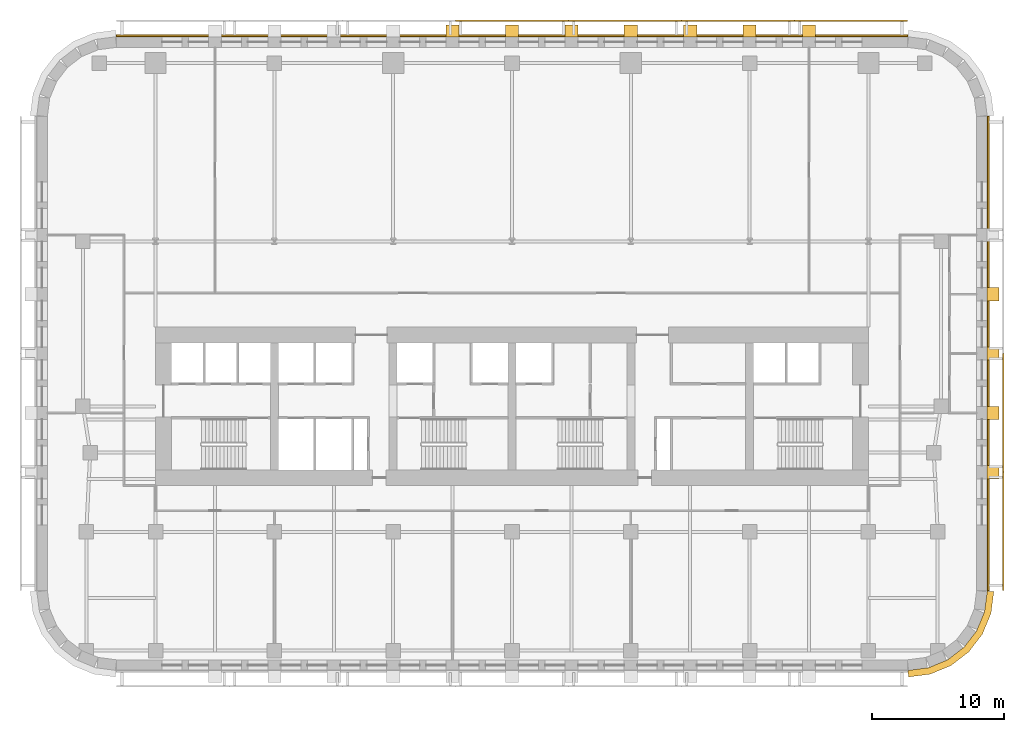
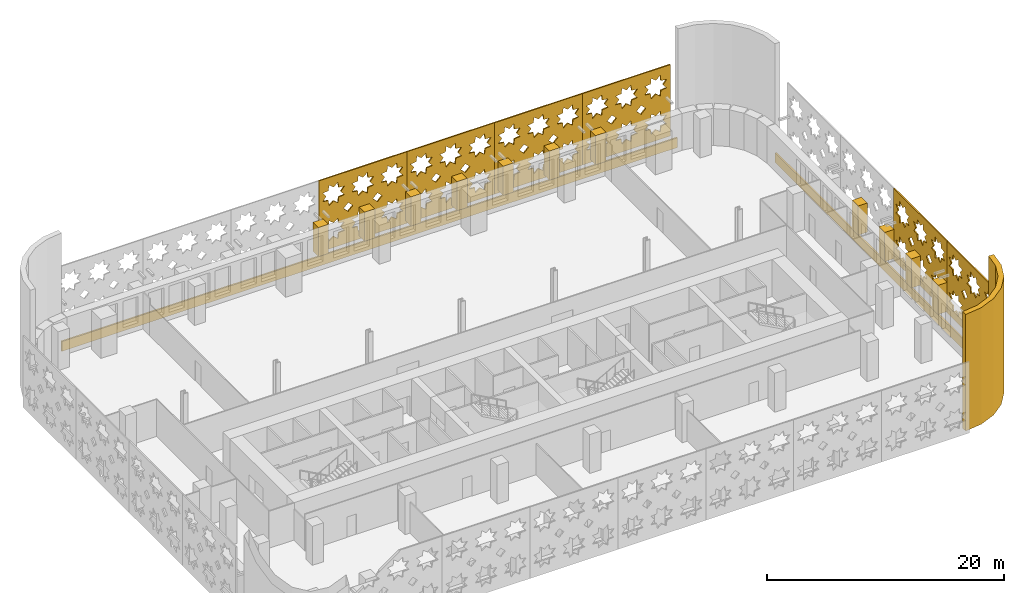
# One storey, part 12 of 13: 20 coverings.
"""IFC4 building model written with IfcOpenShell, lengths in metres."""

from ifc_helpers import new_model, si_unit, direction, frame, origin, place, context, subcontext, project, spatial, polyline, outline, extrude, material, layer, layer_set, type_object, element, save


model = new_model("IFC4")

# Units and contexts
model_context = context("Model", 3, precision=1e-05, world=origin(), true_north=direction((0.0, 1.0)))
body_context = subcontext(model_context, "Body", "Model", "MODEL_VIEW")
ifc_project = project(units=[si_unit("LENGTHUNIT", "METRE"), si_unit("AREAUNIT", "SQUARE_METRE"), si_unit("VOLUMEUNIT", "CUBIC_METRE"), si_unit("PLANEANGLEUNIT", "RADIAN"), si_unit("MASSUNIT", "GRAM", prefix="KILO")], contexts=[model_context])

# Site, building, storey
site_placement = place(None, origin())
site = spatial("IfcSite", under=ifc_project, at=site_placement, CompositionType="ELEMENT")
building_placement = place(site_placement, origin())
building = spatial("IfcBuilding", under=site, at=building_placement, Name="Zellij Exchange Tower", CompositionType="ELEMENT")
storey_placement = place(building_placement, frame((0.0, 0.0, 52.5)))
storey = spatial("IfcBuildingStorey", under=building, at=storey_placement, Name="L09", CompositionType="ELEMENT", Elevation=52.5)

# Coverings
ifc_material_1 = material(Name="Limestone cladding", Category="masonry")
ifc_layer_1 = layer(ifc_material_1, 0.14990234375)
ifc_layer_set_1 = layer_set([ifc_layer_1], Name="Limestone cladding")
covering_type_1 = type_object("IfcCoveringType", Name="ENV-CV1 Stone spandrel band 150", PredefinedType="CLADDING", material=ifc_layer_set_1)
covering_1_placement = place(storey_placement, frame((0.0, 0.0, -0.199951171875)))
element("IfcCovering", 1, at=covering_1_placement, inside=storey, type_object=covering_type_1, Name="Stone spandrel band", PredefinedType="CLADDING", context=body_context, shape_type="SweptSolid", body=[
    extrude(outline(polyline([(36.0, -21.973876953125), (36.0, 13.973876953125), (36.14990234375, 13.983642578125), (36.14990234375, -21.983642578125), (36.0, -21.973876953125)])), origin(), (0.0, 0.0, 1.0), 1.0),
])
covering_2_placement = place(storey_placement, frame((0.0, 0.0, -0.199951171875)))
element("IfcCovering", 2, at=covering_2_placement, inside=storey, type_object=covering_type_1, Name="Stone spandrel band", PredefinedType="CLADDING", context=body_context, shape_type="SweptSolid", body=[
    extrude(outline(polyline([(29.973876953125, 20.0), (-29.973876953125, 20.0), (-29.983642578125, 20.14990234375), (29.983642578125, 20.14990234375), (29.973876953125, 20.0)])), origin(), (0.0, 0.0, 1.0), 1.0),
])
ifc_layer_2 = layer(ifc_material_1, 0.5)
ifc_layer_set_2 = layer_set([ifc_layer_2], Name="Limestone cladding")
covering_type_2 = type_object("IfcCoveringType", Name="ENV-CV12 Stone corner pier 500", PredefinedType="CLADDING", material=ifc_layer_set_2)
covering_3_placement = place(storey_placement, origin())
element("IfcCovering", 3, at=covering_3_placement, inside=storey, type_object=covering_type_2, Name="Stone corner pier", PredefinedType="CLADDING", context=body_context, shape_type="SweptSolid", body=[
    extrude(outline(polyline([(30.0, -28.0), (31.552978515625, -27.795654296875), (33.0, -27.1962890625), (34.24267578125, -26.24267578125), (35.1962890625, -25.0), (35.795654296875, -23.552978515625), (36.0, -22.0), (36.5, -22.03271484375), (36.28271484375, -23.683349609375), (35.6328125, -25.252197265625), (34.59912109375, -26.59912109375), (33.252197265625, -27.6328125), (31.683349609375, -28.28271484375), (30.03271484375, -28.5), (30.0, -28.0)])), origin(), (0.0, 0.0, 1.0), 12.0),
])
covering_type_3 = type_object("IfcCoveringType", Name="ENV-CV2 Stone pier 1000x900", PredefinedType="CLADDING", material=ifc_material_1)
covering_4_placement = place(storey_placement, frame((0.0, 0.0, 0.800048828125)))
element("IfcCovering", 4, at=covering_4_placement, inside=storey, type_object=covering_type_3, Name="Stone pier", PredefinedType="CLADDING", context=body_context, shape_type="SweptSolid", body=[
    extrude(outline(polyline([(36.0, -13.48681640625), (36.0, -12.48681640625), (36.89990234375, -12.48681640625), (36.89990234375, -13.48681640625), (36.0, -13.48681640625)])), origin(), (0.0, 0.0, 1.0), 3.0),
])
covering_5_placement = place(storey_placement, frame((0.0, 0.0, 0.800048828125)))
element("IfcCovering", 5, at=covering_5_placement, inside=storey, type_object=covering_type_3, Name="Stone pier", PredefinedType="CLADDING", context=body_context, shape_type="SweptSolid", body=[
    extrude(outline(polyline([(36.0, -8.993408203125), (36.0, -7.993408203125), (36.89990234375, -7.993408203125), (36.89990234375, -8.993408203125), (36.0, -8.993408203125)])), origin(), (0.0, 0.0, 1.0), 3.0),
])
covering_6_placement = place(storey_placement, frame((0.0, 0.0, 0.800048828125)))
element("IfcCovering", 6, at=covering_6_placement, inside=storey, type_object=covering_type_3, Name="Stone pier", PredefinedType="CLADDING", context=body_context, shape_type="SweptSolid", body=[
    extrude(outline(polyline([(36.0, -4.5), (36.0, -3.5), (36.89990234375, -3.5), (36.89990234375, -4.5), (36.0, -4.5)])), origin(), (0.0, 0.0, 1.0), 3.0),
])
covering_7_placement = place(storey_placement, frame((0.0, 0.0, 0.800048828125)))
element("IfcCovering", 7, at=covering_7_placement, inside=storey, type_object=covering_type_3, Name="Stone pier", PredefinedType="CLADDING", context=body_context, shape_type="SweptSolid", body=[
    extrude(outline(polyline([(36.0, -0.006591796875), (36.0, 0.993408203125), (36.89990234375, 0.993408203125), (36.89990234375, -0.006591796875), (36.0, -0.006591796875)])), origin(), (0.0, 0.0, 1.0), 3.0),
])
covering_8_placement = place(storey_placement, frame((0.0, 0.0, 0.800048828125)))
element("IfcCovering", 8, at=covering_8_placement, inside=storey, type_object=covering_type_3, Name="Stone pier", PredefinedType="CLADDING", context=body_context, shape_type="SweptSolid", body=[
    extrude(outline(polyline([(23.0, 20.0), (22.0, 20.0), (22.0, 20.89990234375), (23.0, 20.89990234375), (23.0, 20.0)])), origin(), (0.0, 0.0, 1.0), 3.0),
])
covering_9_placement = place(storey_placement, frame((0.0, 0.0, 0.800048828125)))
element("IfcCovering", 9, at=covering_9_placement, inside=storey, type_object=covering_type_3, Name="Stone pier", PredefinedType="CLADDING", context=body_context, shape_type="SweptSolid", body=[
    extrude(outline(polyline([(18.5, 20.0), (17.5, 20.0), (17.5, 20.89990234375), (18.5, 20.89990234375), (18.5, 20.0)])), origin(), (0.0, 0.0, 1.0), 3.0),
])
covering_10_placement = place(storey_placement, frame((0.0, 0.0, 0.800048828125)))
element("IfcCovering", 10, at=covering_10_placement, inside=storey, type_object=covering_type_3, Name="Stone pier", PredefinedType="CLADDING", context=body_context, shape_type="SweptSolid", body=[
    extrude(outline(polyline([(14.0, 20.0), (13.0, 20.0), (13.0, 20.89990234375), (14.0, 20.89990234375), (14.0, 20.0)])), origin(), (0.0, 0.0, 1.0), 3.0),
])
covering_11_placement = place(storey_placement, frame((0.0, 0.0, 0.800048828125)))
element("IfcCovering", 11, at=covering_11_placement, inside=storey, type_object=covering_type_3, Name="Stone pier", PredefinedType="CLADDING", context=body_context, shape_type="SweptSolid", body=[
    extrude(outline(polyline([(9.5, 20.0), (8.5, 20.0), (8.5, 20.89990234375), (9.5, 20.89990234375), (9.5, 20.0)])), origin(), (0.0, 0.0, 1.0), 3.0),
])
covering_12_placement = place(storey_placement, frame((0.0, 0.0, 0.800048828125)))
element("IfcCovering", 12, at=covering_12_placement, inside=storey, type_object=covering_type_3, Name="Stone pier", PredefinedType="CLADDING", context=body_context, shape_type="SweptSolid", body=[
    extrude(outline(polyline([(5.0, 20.0), (4.0, 20.0), (4.0, 20.89990234375), (5.0, 20.89990234375), (5.0, 20.0)])), origin(), (0.0, 0.0, 1.0), 3.0),
])
covering_13_placement = place(storey_placement, frame((0.0, 0.0, 0.800048828125)))
element("IfcCovering", 13, at=covering_13_placement, inside=storey, type_object=covering_type_3, Name="Stone pier", PredefinedType="CLADDING", context=body_context, shape_type="SweptSolid", body=[
    extrude(outline(polyline([(0.5, 20.0), (-0.5, 20.0), (-0.5, 20.89990234375), (0.5, 20.89990234375), (0.5, 20.0)])), origin(), (0.0, 0.0, 1.0), 3.0),
])
covering_14_placement = place(storey_placement, frame((0.0, 0.0, 0.800048828125)))
element("IfcCovering", 14, at=covering_14_placement, inside=storey, type_object=covering_type_3, Name="Stone pier", PredefinedType="CLADDING", context=body_context, shape_type="SweptSolid", body=[
    extrude(outline(polyline([(-4.0, 20.0), (-5.0, 20.0), (-5.0, 20.89990234375), (-4.0, 20.89990234375), (-4.0, 20.0)])), origin(), (0.0, 0.0, 1.0), 3.0),
])
ifc_material_2 = material(Name="Limestone screen", Category="masonry")
ifc_layer_3 = layer(ifc_material_2, 0.1201171875)
ifc_layer_set_3 = layer_set([ifc_layer_3], Name="Limestone screen")
covering_type_4 = type_object("IfcCoveringType", Name="ENV-SC1 Pierced stone screen 120", PredefinedType="USERDEFINED", material=ifc_layer_set_3)
covering_15_placement = place(storey_placement, frame((29.947509765625, 21.2099609375, 0.300048828125), z_axis=(0.0, 0.0, 1.0), x_axis=(-1.0, 0.0, 0.0)))
element("IfcCovering", 15, at=covering_15_placement, inside=storey, type_object=covering_type_4, Name="Pierced stone screen", ObjectType="SCREEN", PredefinedType="USERDEFINED", context=body_context, shape_type="SweptSolid", body=[
    extrude(outline(polyline([(0.0, 0.0), (8.556396484375, 0.0), (8.556396484375, 7.35009765625), (0.0, 7.35009765625), (0.0, 0.0)]), holes=[polyline([(2.47998046875, 2.274169921875), (1.92626953125, 2.337646484375), (1.86279296875, 2.8916015625), (1.426025390625, 2.544921875), (0.989501953125, 2.8916015625), (0.92578125, 2.337646484375), (0.3720703125, 2.274169921875), (0.71875, 1.83740234375), (0.3720703125, 1.40087890625), (0.92578125, 1.33740234375), (0.989501953125, 0.783447265625), (1.426025390625, 1.130126953125), (1.86279296875, 0.783447265625), (1.92626953125, 1.33740234375), (2.47998046875, 1.40087890625), (2.13330078125, 1.83740234375), (2.47998046875, 2.274169921875)]), polyline([(2.47998046875, 5.94921875), (1.92626953125, 6.0126953125), (1.86279296875, 6.56640625), (1.426025390625, 6.2197265625), (0.989501953125, 6.56640625), (0.92578125, 6.0126953125), (0.3720703125, 5.94921875), (0.71875, 5.512451171875), (0.3720703125, 5.075927734375), (0.92578125, 5.01220703125), (0.989501953125, 4.45849609375), (1.426025390625, 4.80517578125), (1.86279296875, 4.45849609375), (1.92626953125, 5.01220703125), (2.47998046875, 5.075927734375), (2.13330078125, 5.512451171875), (2.47998046875, 5.94921875)]), polyline([(5.332275390625, 2.274169921875), (4.7783203125, 2.337646484375), (4.71484375, 2.8916015625), (4.2783203125, 2.544921875), (3.841552734375, 2.8916015625), (3.778076171875, 2.337646484375), (3.22412109375, 2.274169921875), (3.57080078125, 1.83740234375), (3.22412109375, 1.40087890625), (3.778076171875, 1.33740234375), (3.841552734375, 0.783447265625), (4.2783203125, 1.130126953125), (4.71484375, 0.783447265625), (4.7783203125, 1.33740234375), (5.332275390625, 1.40087890625), (4.985595703125, 1.83740234375), (5.332275390625, 2.274169921875)]), polyline([(5.332275390625, 5.94921875), (4.7783203125, 6.0126953125), (4.71484375, 6.56640625), (4.2783203125, 6.2197265625), (3.841552734375, 6.56640625), (3.778076171875, 6.0126953125), (3.22412109375, 5.94921875), (3.57080078125, 5.512451171875), (3.22412109375, 5.075927734375), (3.778076171875, 5.01220703125), (3.841552734375, 4.45849609375), (4.2783203125, 4.80517578125), (4.71484375, 4.45849609375), (4.7783203125, 5.01220703125), (5.332275390625, 5.075927734375), (4.985595703125, 5.512451171875), (5.332275390625, 5.94921875)]), polyline([(8.184326171875, 2.274169921875), (7.630615234375, 2.337646484375), (7.56689453125, 2.8916015625), (7.13037109375, 2.544921875), (6.69384765625, 2.8916015625), (6.630126953125, 2.337646484375), (6.076416015625, 2.274169921875), (6.423095703125, 1.83740234375), (6.076416015625, 1.40087890625), (6.630126953125, 1.33740234375), (6.69384765625, 0.783447265625), (7.13037109375, 1.130126953125), (7.56689453125, 0.783447265625), (7.630615234375, 1.33740234375), (8.184326171875, 1.40087890625), (7.837646484375, 1.83740234375), (8.184326171875, 2.274169921875)]), polyline([(8.184326171875, 5.94921875), (7.630615234375, 6.0126953125), (7.56689453125, 6.56640625), (7.13037109375, 6.2197265625), (6.69384765625, 6.56640625), (6.630126953125, 6.0126953125), (6.076416015625, 5.94921875), (6.423095703125, 5.512451171875), (6.076416015625, 5.075927734375), (6.630126953125, 5.01220703125), (6.69384765625, 4.45849609375), (7.13037109375, 4.80517578125), (7.56689453125, 4.45849609375), (7.630615234375, 5.01220703125), (8.184326171875, 5.075927734375), (7.837646484375, 5.512451171875), (8.184326171875, 5.94921875)]), polyline([(3.30859375, 3.675048828125), (2.852294921875, 4.13134765625), (2.395751953125, 3.675048828125), (2.852294921875, 3.21875), (3.30859375, 3.675048828125)]), polyline([(6.16064453125, 3.675048828125), (5.704345703125, 4.13134765625), (5.248046875, 3.675048828125), (5.704345703125, 3.21875), (6.16064453125, 3.675048828125)])]), frame((0.0, 0.06005859375, 0.0), z_axis=(0.0, -1.0, 0.0), x_axis=(1.0, 0.0, 0.0)), (0.0, 0.0, 1.0), 0.1201171875),
])
covering_16_placement = place(storey_placement, frame((21.39111328125, 21.2099609375, 0.300048828125), z_axis=(0.0, 0.0, 1.0), x_axis=(-1.0, 0.0, 0.0)))
element("IfcCovering", 16, at=covering_16_placement, inside=storey, type_object=covering_type_4, Name="Pierced stone screen", ObjectType="SCREEN", PredefinedType="USERDEFINED", context=body_context, shape_type="SweptSolid", body=[
    extrude(outline(polyline([(0.0, 0.0), (8.556396484375, 0.0), (8.556396484375, 7.35009765625), (0.0, 7.35009765625), (0.0, 0.0)]), holes=[polyline([(2.47998046875, 2.274169921875), (1.92626953125, 2.337646484375), (1.86279296875, 2.8916015625), (1.426025390625, 2.544921875), (0.989501953125, 2.8916015625), (0.92578125, 2.337646484375), (0.3720703125, 2.274169921875), (0.71875, 1.83740234375), (0.3720703125, 1.40087890625), (0.92578125, 1.33740234375), (0.989501953125, 0.783447265625), (1.426025390625, 1.130126953125), (1.86279296875, 0.783447265625), (1.92626953125, 1.33740234375), (2.47998046875, 1.40087890625), (2.13330078125, 1.83740234375), (2.47998046875, 2.274169921875)]), polyline([(2.47998046875, 5.94921875), (1.92626953125, 6.0126953125), (1.86279296875, 6.56640625), (1.426025390625, 6.2197265625), (0.989501953125, 6.56640625), (0.92578125, 6.0126953125), (0.3720703125, 5.94921875), (0.71875, 5.512451171875), (0.3720703125, 5.075927734375), (0.92578125, 5.01220703125), (0.989501953125, 4.45849609375), (1.426025390625, 4.80517578125), (1.86279296875, 4.45849609375), (1.92626953125, 5.01220703125), (2.47998046875, 5.075927734375), (2.13330078125, 5.512451171875), (2.47998046875, 5.94921875)]), polyline([(5.332275390625, 2.274169921875), (4.7783203125, 2.337646484375), (4.71484375, 2.8916015625), (4.2783203125, 2.544921875), (3.841552734375, 2.8916015625), (3.778076171875, 2.337646484375), (3.22412109375, 2.274169921875), (3.57080078125, 1.83740234375), (3.22412109375, 1.40087890625), (3.778076171875, 1.33740234375), (3.841552734375, 0.783447265625), (4.2783203125, 1.130126953125), (4.71484375, 0.783447265625), (4.7783203125, 1.33740234375), (5.332275390625, 1.40087890625), (4.985595703125, 1.83740234375), (5.332275390625, 2.274169921875)]), polyline([(5.332275390625, 5.94921875), (4.7783203125, 6.0126953125), (4.71484375, 6.56640625), (4.2783203125, 6.2197265625), (3.841552734375, 6.56640625), (3.778076171875, 6.0126953125), (3.22412109375, 5.94921875), (3.57080078125, 5.512451171875), (3.22412109375, 5.075927734375), (3.778076171875, 5.01220703125), (3.841552734375, 4.45849609375), (4.2783203125, 4.80517578125), (4.71484375, 4.45849609375), (4.7783203125, 5.01220703125), (5.332275390625, 5.075927734375), (4.985595703125, 5.512451171875), (5.332275390625, 5.94921875)]), polyline([(8.184326171875, 2.274169921875), (7.630615234375, 2.337646484375), (7.56689453125, 2.8916015625), (7.13037109375, 2.544921875), (6.69384765625, 2.8916015625), (6.630126953125, 2.337646484375), (6.076416015625, 2.274169921875), (6.423095703125, 1.83740234375), (6.076416015625, 1.40087890625), (6.630126953125, 1.33740234375), (6.69384765625, 0.783447265625), (7.13037109375, 1.130126953125), (7.56689453125, 0.783447265625), (7.630615234375, 1.33740234375), (8.184326171875, 1.40087890625), (7.837646484375, 1.83740234375), (8.184326171875, 2.274169921875)]), polyline([(8.184326171875, 5.94921875), (7.630615234375, 6.0126953125), (7.56689453125, 6.56640625), (7.13037109375, 6.2197265625), (6.69384765625, 6.56640625), (6.630126953125, 6.0126953125), (6.076416015625, 5.94921875), (6.423095703125, 5.512451171875), (6.076416015625, 5.075927734375), (6.630126953125, 5.01220703125), (6.69384765625, 4.45849609375), (7.13037109375, 4.80517578125), (7.56689453125, 4.45849609375), (7.630615234375, 5.01220703125), (8.184326171875, 5.075927734375), (7.837646484375, 5.512451171875), (8.184326171875, 5.94921875)]), polyline([(3.30859375, 3.675048828125), (2.852294921875, 4.13134765625), (2.395751953125, 3.675048828125), (2.852294921875, 3.21875), (3.30859375, 3.675048828125)]), polyline([(6.16064453125, 3.675048828125), (5.704345703125, 4.13134765625), (5.248046875, 3.675048828125), (5.704345703125, 3.21875), (6.16064453125, 3.675048828125)])]), frame((0.0, 0.06005859375, 0.0), z_axis=(0.0, -1.0, 0.0), x_axis=(1.0, 0.0, 0.0)), (0.0, 0.0, 1.0), 0.1201171875),
])
covering_17_placement = place(storey_placement, frame((12.834716796875, 21.2099609375, 0.300048828125), z_axis=(0.0, 0.0, 1.0), x_axis=(-1.0, 0.0, 0.0)))
element("IfcCovering", 17, at=covering_17_placement, inside=storey, type_object=covering_type_4, Name="Pierced stone screen", ObjectType="SCREEN", PredefinedType="USERDEFINED", context=body_context, shape_type="SweptSolid", body=[
    extrude(outline(polyline([(0.0, 0.0), (8.556396484375, 0.0), (8.556396484375, 7.35009765625), (0.0, 7.35009765625), (0.0, 0.0)]), holes=[polyline([(2.47998046875, 2.274169921875), (1.92626953125, 2.337646484375), (1.86279296875, 2.8916015625), (1.426025390625, 2.544921875), (0.989501953125, 2.8916015625), (0.92578125, 2.337646484375), (0.3720703125, 2.274169921875), (0.71875, 1.83740234375), (0.3720703125, 1.40087890625), (0.92578125, 1.33740234375), (0.989501953125, 0.783447265625), (1.426025390625, 1.130126953125), (1.86279296875, 0.783447265625), (1.92626953125, 1.33740234375), (2.47998046875, 1.40087890625), (2.13330078125, 1.83740234375), (2.47998046875, 2.274169921875)]), polyline([(2.47998046875, 5.94921875), (1.92626953125, 6.0126953125), (1.86279296875, 6.56640625), (1.426025390625, 6.2197265625), (0.989501953125, 6.56640625), (0.92578125, 6.0126953125), (0.3720703125, 5.94921875), (0.71875, 5.512451171875), (0.3720703125, 5.075927734375), (0.92578125, 5.01220703125), (0.989501953125, 4.45849609375), (1.426025390625, 4.80517578125), (1.86279296875, 4.45849609375), (1.92626953125, 5.01220703125), (2.47998046875, 5.075927734375), (2.13330078125, 5.512451171875), (2.47998046875, 5.94921875)]), polyline([(5.332275390625, 2.274169921875), (4.7783203125, 2.337646484375), (4.71484375, 2.8916015625), (4.2783203125, 2.544921875), (3.841552734375, 2.8916015625), (3.778076171875, 2.337646484375), (3.22412109375, 2.274169921875), (3.57080078125, 1.83740234375), (3.22412109375, 1.40087890625), (3.778076171875, 1.33740234375), (3.841552734375, 0.783447265625), (4.2783203125, 1.130126953125), (4.71484375, 0.783447265625), (4.7783203125, 1.33740234375), (5.332275390625, 1.40087890625), (4.985595703125, 1.83740234375), (5.332275390625, 2.274169921875)]), polyline([(5.332275390625, 5.94921875), (4.7783203125, 6.0126953125), (4.71484375, 6.56640625), (4.2783203125, 6.2197265625), (3.841552734375, 6.56640625), (3.778076171875, 6.0126953125), (3.22412109375, 5.94921875), (3.57080078125, 5.512451171875), (3.22412109375, 5.075927734375), (3.778076171875, 5.01220703125), (3.841552734375, 4.45849609375), (4.2783203125, 4.80517578125), (4.71484375, 4.45849609375), (4.7783203125, 5.01220703125), (5.332275390625, 5.075927734375), (4.985595703125, 5.512451171875), (5.332275390625, 5.94921875)]), polyline([(8.184326171875, 2.274169921875), (7.630615234375, 2.337646484375), (7.56689453125, 2.8916015625), (7.13037109375, 2.544921875), (6.69384765625, 2.8916015625), (6.630126953125, 2.337646484375), (6.076416015625, 2.274169921875), (6.423095703125, 1.83740234375), (6.076416015625, 1.40087890625), (6.630126953125, 1.33740234375), (6.69384765625, 0.783447265625), (7.13037109375, 1.130126953125), (7.56689453125, 0.783447265625), (7.630615234375, 1.33740234375), (8.184326171875, 1.40087890625), (7.837646484375, 1.83740234375), (8.184326171875, 2.274169921875)]), polyline([(8.184326171875, 5.94921875), (7.630615234375, 6.0126953125), (7.56689453125, 6.56640625), (7.13037109375, 6.2197265625), (6.69384765625, 6.56640625), (6.630126953125, 6.0126953125), (6.076416015625, 5.94921875), (6.423095703125, 5.512451171875), (6.076416015625, 5.075927734375), (6.630126953125, 5.01220703125), (6.69384765625, 4.45849609375), (7.13037109375, 4.80517578125), (7.56689453125, 4.45849609375), (7.630615234375, 5.01220703125), (8.184326171875, 5.075927734375), (7.837646484375, 5.512451171875), (8.184326171875, 5.94921875)]), polyline([(3.30859375, 3.675048828125), (2.852294921875, 4.13134765625), (2.395751953125, 3.675048828125), (2.852294921875, 3.21875), (3.30859375, 3.675048828125)]), polyline([(6.16064453125, 3.675048828125), (5.704345703125, 4.13134765625), (5.248046875, 3.675048828125), (5.704345703125, 3.21875), (6.16064453125, 3.675048828125)])]), frame((0.0, 0.06005859375, 0.0), z_axis=(0.0, -1.0, 0.0), x_axis=(1.0, 0.0, 0.0)), (0.0, 0.0, 1.0), 0.1201171875),
])
covering_18_placement = place(storey_placement, frame((4.2783203125, 21.2099609375, 0.300048828125), z_axis=(0.0, 0.0, 1.0), x_axis=(-1.0, 0.0, 0.0)))
element("IfcCovering", 18, at=covering_18_placement, inside=storey, type_object=covering_type_4, Name="Pierced stone screen", ObjectType="SCREEN", PredefinedType="USERDEFINED", context=body_context, shape_type="SweptSolid", body=[
    extrude(outline(polyline([(0.0, 0.0), (8.556396484375, 0.0), (8.556396484375, 7.35009765625), (0.0, 7.35009765625), (0.0, 0.0)]), holes=[polyline([(2.47998046875, 2.274169921875), (1.92626953125, 2.337646484375), (1.86279296875, 2.8916015625), (1.426025390625, 2.544921875), (0.989501953125, 2.8916015625), (0.92578125, 2.337646484375), (0.3720703125, 2.274169921875), (0.71875, 1.83740234375), (0.3720703125, 1.40087890625), (0.92578125, 1.33740234375), (0.989501953125, 0.783447265625), (1.426025390625, 1.130126953125), (1.86279296875, 0.783447265625), (1.92626953125, 1.33740234375), (2.47998046875, 1.40087890625), (2.13330078125, 1.83740234375), (2.47998046875, 2.274169921875)]), polyline([(2.47998046875, 5.94921875), (1.92626953125, 6.0126953125), (1.86279296875, 6.56640625), (1.426025390625, 6.2197265625), (0.989501953125, 6.56640625), (0.92578125, 6.0126953125), (0.3720703125, 5.94921875), (0.71875, 5.512451171875), (0.3720703125, 5.075927734375), (0.92578125, 5.01220703125), (0.989501953125, 4.45849609375), (1.426025390625, 4.80517578125), (1.86279296875, 4.45849609375), (1.92626953125, 5.01220703125), (2.47998046875, 5.075927734375), (2.13330078125, 5.512451171875), (2.47998046875, 5.94921875)]), polyline([(5.332275390625, 2.274169921875), (4.7783203125, 2.337646484375), (4.71484375, 2.8916015625), (4.2783203125, 2.544921875), (3.841552734375, 2.8916015625), (3.778076171875, 2.337646484375), (3.22412109375, 2.274169921875), (3.57080078125, 1.83740234375), (3.22412109375, 1.40087890625), (3.778076171875, 1.33740234375), (3.841552734375, 0.783447265625), (4.2783203125, 1.130126953125), (4.71484375, 0.783447265625), (4.7783203125, 1.33740234375), (5.332275390625, 1.40087890625), (4.985595703125, 1.83740234375), (5.332275390625, 2.274169921875)]), polyline([(5.332275390625, 5.94921875), (4.7783203125, 6.0126953125), (4.71484375, 6.56640625), (4.2783203125, 6.2197265625), (3.841552734375, 6.56640625), (3.778076171875, 6.0126953125), (3.22412109375, 5.94921875), (3.57080078125, 5.512451171875), (3.22412109375, 5.075927734375), (3.778076171875, 5.01220703125), (3.841552734375, 4.45849609375), (4.2783203125, 4.80517578125), (4.71484375, 4.45849609375), (4.7783203125, 5.01220703125), (5.332275390625, 5.075927734375), (4.985595703125, 5.512451171875), (5.332275390625, 5.94921875)]), polyline([(8.184326171875, 2.274169921875), (7.630615234375, 2.337646484375), (7.56689453125, 2.8916015625), (7.13037109375, 2.544921875), (6.69384765625, 2.8916015625), (6.630126953125, 2.337646484375), (6.076416015625, 2.274169921875), (6.423095703125, 1.83740234375), (6.076416015625, 1.40087890625), (6.630126953125, 1.33740234375), (6.69384765625, 0.783447265625), (7.13037109375, 1.130126953125), (7.56689453125, 0.783447265625), (7.630615234375, 1.33740234375), (8.184326171875, 1.40087890625), (7.837646484375, 1.83740234375), (8.184326171875, 2.274169921875)]), polyline([(8.184326171875, 5.94921875), (7.630615234375, 6.0126953125), (7.56689453125, 6.56640625), (7.13037109375, 6.2197265625), (6.69384765625, 6.56640625), (6.630126953125, 6.0126953125), (6.076416015625, 5.94921875), (6.423095703125, 5.512451171875), (6.076416015625, 5.075927734375), (6.630126953125, 5.01220703125), (6.69384765625, 4.45849609375), (7.13037109375, 4.80517578125), (7.56689453125, 4.45849609375), (7.630615234375, 5.01220703125), (8.184326171875, 5.075927734375), (7.837646484375, 5.512451171875), (8.184326171875, 5.94921875)]), polyline([(3.30859375, 3.675048828125), (2.852294921875, 4.13134765625), (2.395751953125, 3.675048828125), (2.852294921875, 3.21875), (3.30859375, 3.675048828125)]), polyline([(6.16064453125, 3.675048828125), (5.704345703125, 4.13134765625), (5.248046875, 3.675048828125), (5.704345703125, 3.21875), (6.16064453125, 3.675048828125)])]), frame((0.0, 0.06005859375, 0.0), z_axis=(0.0, -1.0, 0.0), x_axis=(1.0, 0.0, 0.0)), (0.0, 0.0, 1.0), 0.1201171875),
])
covering_19_placement = place(storey_placement, frame((37.2099609375, -21.947509765625, 0.300048828125), z_axis=(0.0, 0.0, 1.0), x_axis=(0.0, 1.0, 0.0)))
element("IfcCovering", 19, at=covering_19_placement, inside=storey, type_object=covering_type_4, Name="Pierced stone screen", ObjectType="SCREEN", PredefinedType="USERDEFINED", context=body_context, shape_type="SweptSolid", body=[
    extrude(outline(polyline([(0.0, 0.0), (8.973876953125, 0.0), (8.973876953125, 7.35009765625), (0.0, 7.35009765625), (0.0, 0.0)]), holes=[polyline([(2.60107421875, 2.29541015625), (2.020263671875, 2.362060546875), (1.95361328125, 2.94287109375), (1.49560546875, 2.579345703125), (1.03759765625, 2.94287109375), (0.97119140625, 2.362060546875), (0.39013671875, 2.29541015625), (0.75390625, 1.83740234375), (0.39013671875, 1.379638671875), (0.97119140625, 1.31298828125), (1.03759765625, 0.732177734375), (1.49560546875, 1.095703125), (1.95361328125, 0.732177734375), (2.020263671875, 1.31298828125), (2.60107421875, 1.379638671875), (2.237548828125, 1.83740234375), (2.60107421875, 2.29541015625)]), polyline([(2.60107421875, 5.970458984375), (2.020263671875, 6.037109375), (1.95361328125, 6.617919921875), (1.49560546875, 6.25439453125), (1.03759765625, 6.617919921875), (0.97119140625, 6.037109375), (0.39013671875, 5.970458984375), (0.75390625, 5.512451171875), (0.39013671875, 5.0546875), (0.97119140625, 4.98779296875), (1.03759765625, 4.406982421875), (1.49560546875, 4.770751953125), (1.95361328125, 4.406982421875), (2.020263671875, 4.98779296875), (2.60107421875, 5.0546875), (2.237548828125, 5.512451171875), (2.60107421875, 5.970458984375)]), polyline([(5.59228515625, 2.29541015625), (5.011474609375, 2.362060546875), (4.94482421875, 2.94287109375), (4.48681640625, 2.579345703125), (4.029052734375, 2.94287109375), (3.96240234375, 2.362060546875), (3.381591796875, 2.29541015625), (3.7451171875, 1.83740234375), (3.381591796875, 1.379638671875), (3.96240234375, 1.31298828125), (4.029052734375, 0.732177734375), (4.48681640625, 1.095703125), (4.94482421875, 0.732177734375), (5.011474609375, 1.31298828125), (5.59228515625, 1.379638671875), (5.228759765625, 1.83740234375), (5.59228515625, 2.29541015625)]), polyline([(5.59228515625, 5.970458984375), (5.011474609375, 6.037109375), (4.94482421875, 6.617919921875), (4.48681640625, 6.25439453125), (4.029052734375, 6.617919921875), (3.96240234375, 6.037109375), (3.381591796875, 5.970458984375), (3.7451171875, 5.512451171875), (3.381591796875, 5.0546875), (3.96240234375, 4.98779296875), (4.029052734375, 4.406982421875), (4.48681640625, 4.770751953125), (4.94482421875, 4.406982421875), (5.011474609375, 4.98779296875), (5.59228515625, 5.0546875), (5.228759765625, 5.512451171875), (5.59228515625, 5.970458984375)]), polyline([(8.58349609375, 2.29541015625), (8.002685546875, 2.362060546875), (7.93603515625, 2.94287109375), (7.478271484375, 2.579345703125), (7.020263671875, 2.94287109375), (6.95361328125, 2.362060546875), (6.372802734375, 2.29541015625), (6.736328125, 1.83740234375), (6.372802734375, 1.379638671875), (6.95361328125, 1.31298828125), (7.020263671875, 0.732177734375), (7.478271484375, 1.095703125), (7.93603515625, 0.732177734375), (8.002685546875, 1.31298828125), (8.58349609375, 1.379638671875), (8.219970703125, 1.83740234375), (8.58349609375, 2.29541015625)]), polyline([(8.58349609375, 5.970458984375), (8.002685546875, 6.037109375), (7.93603515625, 6.617919921875), (7.478271484375, 6.25439453125), (7.020263671875, 6.617919921875), (6.95361328125, 6.037109375), (6.372802734375, 5.970458984375), (6.736328125, 5.512451171875), (6.372802734375, 5.0546875), (6.95361328125, 4.98779296875), (7.020263671875, 4.406982421875), (7.478271484375, 4.770751953125), (7.93603515625, 4.406982421875), (8.002685546875, 4.98779296875), (8.58349609375, 5.0546875), (8.219970703125, 5.512451171875), (8.58349609375, 5.970458984375)]), polyline([(3.469970703125, 3.675048828125), (2.9912109375, 4.153564453125), (2.5126953125, 3.675048828125), (2.9912109375, 3.1962890625), (3.469970703125, 3.675048828125)]), polyline([(6.461181640625, 3.675048828125), (5.982421875, 4.153564453125), (5.50390625, 3.675048828125), (5.982421875, 3.1962890625), (6.461181640625, 3.675048828125)])]), frame((0.0, 0.06005859375, 0.0), z_axis=(0.0, -1.0, 0.0), x_axis=(1.0, 0.0, 0.0)), (0.0, 0.0, 1.0), 0.1201171875),
])
covering_20_placement = place(storey_placement, frame((37.2099609375, -12.973876953125, 0.300048828125), z_axis=(0.0, 0.0, 1.0), x_axis=(0.0, 1.0, 0.0)))
element("IfcCovering", 20, at=covering_20_placement, inside=storey, type_object=covering_type_4, Name="Pierced stone screen", ObjectType="SCREEN", PredefinedType="USERDEFINED", context=body_context, shape_type="SweptSolid", body=[
    extrude(outline(polyline([(0.0, 0.0), (8.973876953125, 0.0), (8.973876953125, 7.35009765625), (0.0, 7.35009765625), (0.0, 0.0)]), holes=[polyline([(2.60107421875, 2.29541015625), (2.020263671875, 2.362060546875), (1.95361328125, 2.94287109375), (1.49560546875, 2.579345703125), (1.03759765625, 2.94287109375), (0.97119140625, 2.362060546875), (0.39013671875, 2.29541015625), (0.75390625, 1.83740234375), (0.39013671875, 1.379638671875), (0.97119140625, 1.31298828125), (1.03759765625, 0.732177734375), (1.49560546875, 1.095703125), (1.95361328125, 0.732177734375), (2.020263671875, 1.31298828125), (2.60107421875, 1.379638671875), (2.237548828125, 1.83740234375), (2.60107421875, 2.29541015625)]), polyline([(2.60107421875, 5.970458984375), (2.020263671875, 6.037109375), (1.95361328125, 6.617919921875), (1.49560546875, 6.25439453125), (1.03759765625, 6.617919921875), (0.97119140625, 6.037109375), (0.39013671875, 5.970458984375), (0.75390625, 5.512451171875), (0.39013671875, 5.0546875), (0.97119140625, 4.98779296875), (1.03759765625, 4.406982421875), (1.49560546875, 4.770751953125), (1.95361328125, 4.406982421875), (2.020263671875, 4.98779296875), (2.60107421875, 5.0546875), (2.237548828125, 5.512451171875), (2.60107421875, 5.970458984375)]), polyline([(5.59228515625, 2.29541015625), (5.011474609375, 2.362060546875), (4.94482421875, 2.94287109375), (4.48681640625, 2.579345703125), (4.029052734375, 2.94287109375), (3.96240234375, 2.362060546875), (3.381591796875, 2.29541015625), (3.7451171875, 1.83740234375), (3.381591796875, 1.379638671875), (3.96240234375, 1.31298828125), (4.029052734375, 0.732177734375), (4.48681640625, 1.095703125), (4.94482421875, 0.732177734375), (5.011474609375, 1.31298828125), (5.59228515625, 1.379638671875), (5.228759765625, 1.83740234375), (5.59228515625, 2.29541015625)]), polyline([(5.59228515625, 5.970458984375), (5.011474609375, 6.037109375), (4.94482421875, 6.617919921875), (4.48681640625, 6.25439453125), (4.029052734375, 6.617919921875), (3.96240234375, 6.037109375), (3.381591796875, 5.970458984375), (3.7451171875, 5.512451171875), (3.381591796875, 5.0546875), (3.96240234375, 4.98779296875), (4.029052734375, 4.406982421875), (4.48681640625, 4.770751953125), (4.94482421875, 4.406982421875), (5.011474609375, 4.98779296875), (5.59228515625, 5.0546875), (5.228759765625, 5.512451171875), (5.59228515625, 5.970458984375)]), polyline([(8.58349609375, 2.29541015625), (8.002685546875, 2.362060546875), (7.93603515625, 2.94287109375), (7.478271484375, 2.579345703125), (7.020263671875, 2.94287109375), (6.95361328125, 2.362060546875), (6.372802734375, 2.29541015625), (6.736328125, 1.83740234375), (6.372802734375, 1.379638671875), (6.95361328125, 1.31298828125), (7.020263671875, 0.732177734375), (7.478271484375, 1.095703125), (7.93603515625, 0.732177734375), (8.002685546875, 1.31298828125), (8.58349609375, 1.379638671875), (8.219970703125, 1.83740234375), (8.58349609375, 2.29541015625)]), polyline([(8.58349609375, 5.970458984375), (8.002685546875, 6.037109375), (7.93603515625, 6.617919921875), (7.478271484375, 6.25439453125), (7.020263671875, 6.617919921875), (6.95361328125, 6.037109375), (6.372802734375, 5.970458984375), (6.736328125, 5.512451171875), (6.372802734375, 5.0546875), (6.95361328125, 4.98779296875), (7.020263671875, 4.406982421875), (7.478271484375, 4.770751953125), (7.93603515625, 4.406982421875), (8.002685546875, 4.98779296875), (8.58349609375, 5.0546875), (8.219970703125, 5.512451171875), (8.58349609375, 5.970458984375)]), polyline([(3.469970703125, 3.675048828125), (2.9912109375, 4.153564453125), (2.5126953125, 3.675048828125), (2.9912109375, 3.1962890625), (3.469970703125, 3.675048828125)]), polyline([(6.461181640625, 3.675048828125), (5.982421875, 4.153564453125), (5.50390625, 3.675048828125), (5.982421875, 3.1962890625), (6.461181640625, 3.675048828125)])]), frame((0.0, 0.06005859375, 0.0), z_axis=(0.0, -1.0, 0.0), x_axis=(1.0, 0.0, 0.0)), (0.0, 0.0, 1.0), 0.1201171875),
])

save(model, "model.ifc")
